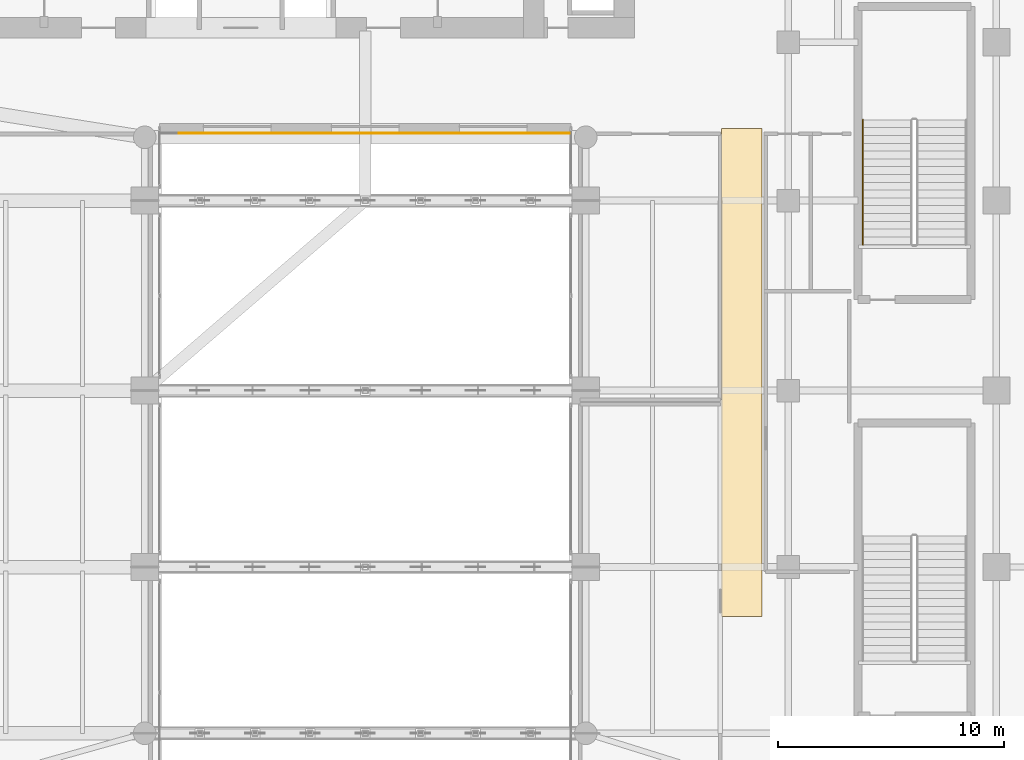
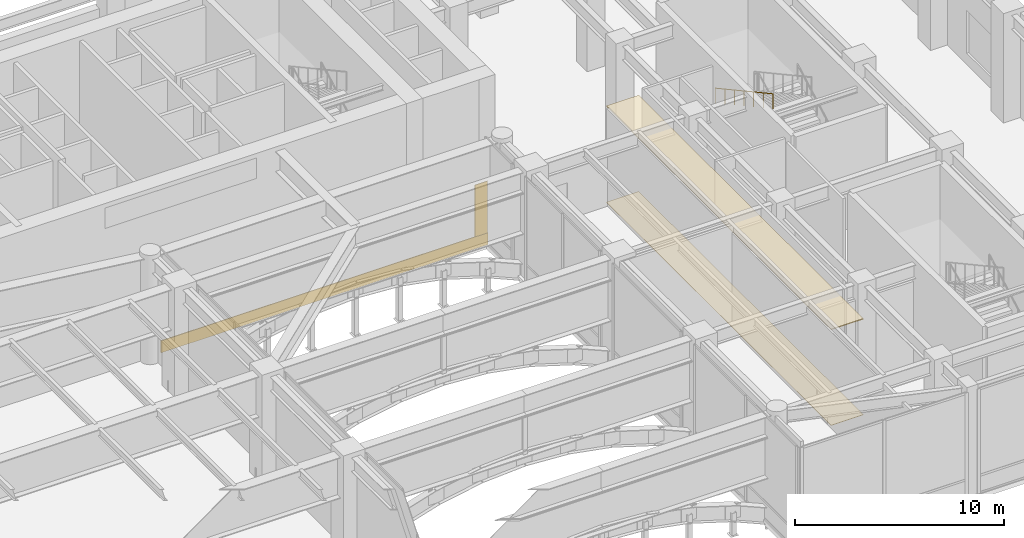
# One storey, part 45 of 50: 4 coverings, 1 railing.
"""IFC4 building model written with IfcOpenShell, lengths in metres."""

from ifc_helpers import new_model, si_unit, direction, frame, origin, origin_2d, place, context, subcontext, project, spatial, polyline, circle, outline, extrude, material, layer, layer_set, type_object, element, save


model = new_model("IFC4")

# Units and contexts
model_context = context("Model", 3, precision=1e-05, world=origin(), true_north=direction((0.0, 1.0)))
body_context = subcontext(model_context, "Body", "Model", "MODEL_VIEW")
ifc_project = project(units=[si_unit("LENGTHUNIT", "METRE"), si_unit("AREAUNIT", "SQUARE_METRE"), si_unit("VOLUMEUNIT", "CUBIC_METRE"), si_unit("PLANEANGLEUNIT", "RADIAN"), si_unit("MASSUNIT", "GRAM", prefix="KILO")], contexts=[model_context])

# Site, building, storey
site_placement = place(None, origin())
site = spatial("IfcSite", under=ifc_project, at=site_placement, CompositionType="ELEMENT")
building_placement = place(site_placement, origin())
building = spatial("IfcBuilding", under=site, at=building_placement, Name="Tolvann Quenvar Hotel", CompositionType="ELEMENT")
storey_placement = place(building_placement, frame((0.0, 0.0, 16.0)))
storey = spatial("IfcBuildingStorey", under=building, at=storey_placement, Name="L03", CompositionType="ELEMENT", Elevation=16.0)

# Coverings
ifc_material_1 = material(Name="Micro-perforated acoustic mineral-fibre and timber-batten suspended ceiling", Category="wood")
ifc_layer_1 = layer(ifc_material_1, 0.054931640625)
ifc_layer_set_1 = layer_set([ifc_layer_1], Name="Micro-perforated acoustic mineral-fibre and timber-batten suspended ceiling")
covering_type_1 = type_object("IfcCoveringType", Name="COV_CEIL_TIMBER_55", PredefinedType="CEILING", material=ifc_layer_set_1)
covering_1_placement = place(storey_placement, frame((0.0, 0.0, 5.60009765625)))
element("IfcCovering", 1, at=covering_1_placement, inside=storey, type_object=covering_type_1, Name="Suspended Acoustic Ceiling (East Podium Corridor L03)", PredefinedType="CEILING", context=body_context, shape_type="SweptSolid", body=[
    extrude(outline(polyline([(44.239990234375, 6.02001953125), (46.030029296875, 6.02001953125), (46.030029296875, 27.580078125), (44.239990234375, 27.580078125), (44.239990234375, 6.02001953125)])), origin(), (0.0, 0.0, 1.0), 0.054931640625),
])
ifc_material_2 = material(Name="Kiln-fired red architectural face brick cladding", Category="masonry")
ifc_layer_2 = layer(ifc_material_2, 0.0400390625)
ifc_layer_set_2 = layer_set([ifc_layer_2], Name="Kiln-fired red architectural face brick cladding")
covering_type_2 = type_object("IfcCoveringType", Name="COV_CLAD_BRICK_40", PredefinedType="CLADDING", material=ifc_layer_set_2)
covering_2_placement = place(storey_placement, frame((0.0, 0.0, 0.699951171875)))
element("IfcCovering", 2, at=covering_2_placement, inside=storey, type_object=covering_type_2, Name="Brick Pier Cladding (L03-E02-P2)", PredefinedType="CLADDING", context=body_context, shape_type="SweptSolid", body=[
    extrude(outline(polyline([(36.840087890625, 27.39990234375), (37.5400390625, 27.39990234375), (37.5400390625, 27.360107421875), (36.840087890625, 27.360107421875), (36.840087890625, 27.39990234375)])), origin(), (0.0, 0.0, 1.0), 3.030029296875),
])
ifc_material_3 = material(Name="Moulded buff architectural terracotta spandrel cladding", Category="masonry")
ifc_layer_3 = layer(ifc_material_3, 0.0400390625)
ifc_layer_set_3 = layer_set([ifc_layer_3], Name="Moulded buff architectural terracotta spandrel cladding")
covering_type_3 = type_object("IfcCoveringType", Name="COV_CLAD_TERRA_40", PredefinedType="CLADDING", material=ifc_layer_set_3)
covering_3_placement = place(storey_placement, origin())
element("IfcCovering", 3, at=covering_3_placement, inside=storey, type_object=covering_type_3, Name="Terracotta Spandrel Cladding (L03-E02)", PredefinedType="CLADDING", context=body_context, shape_type="SweptSolid", body=[
    extrude(outline(polyline([(19.449951171875, 27.39990234375), (37.550048828125, 27.39990234375), (37.550048828125, 27.360107421875), (19.449951171875, 27.360107421875), (19.449951171875, 27.39990234375)])), origin(), (0.0, 0.0, 1.0), 0.699951171875),
])
ifc_material_4 = material(Name="Honed Australian bluestone, terrazzo and engineered oak flooring", Category="masonry")
ifc_layer_4 = layer(ifc_material_4, 0.02001953125)
ifc_layer_set_4 = layer_set([ifc_layer_4], Name="Honed Australian bluestone, terrazzo and engineered oak flooring")
covering_type_4 = type_object("IfcCoveringType", Name="COV_FLOOR_STONE_20", PredefinedType="FLOORING", material=ifc_layer_set_4)
covering_4_placement = place(storey_placement, origin())
element("IfcCovering", 4, at=covering_4_placement, inside=storey, type_object=covering_type_4, Name="Architectural Floor Finish (East Podium Corridor L03)", PredefinedType="FLOORING", context=body_context, shape_type="SweptSolid", body=[
    extrude(outline(polyline([(44.239990234375, 6.02001953125), (46.030029296875, 6.02001953125), (46.030029296875, 27.580078125), (44.239990234375, 27.580078125), (44.239990234375, 6.02001953125)])), origin(), (0.0, 0.0, 1.0), 0.02001953125),
])

# Railing
ifc_material_5 = material(Name="Brushed 316 stainless steel balustrade and handrail", Category="steel")
railing_type = type_object("IfcRailingType", Name="HANDRAIL", PredefinedType="HANDRAIL", material=ifc_material_5)
railing_placement = place(storey_placement, frame((50.5, 27.969970703125, 3.38818359375)))
element("IfcRailing", 5, at=railing_placement, inside=storey, type_object=railing_type, Name="L03 ST-P4 stair handrail 2", PredefinedType="HANDRAIL", context=body_context, shape_type="SweptSolid", body=[
    extrude(circle(Radius=0.02392578125, at=origin_2d()), frame((0.0, 0.0, 0.8759765625), z_axis=(0.0, -0.877842151624, 0.47895005672), x_axis=(1.0, 0.0, 0.0)), (0.0, 0.0, 1.0), 6.2880859375),
    extrude(circle(Radius=0.02099609375, at=origin_2d()), origin(), (0.0, 0.0, 1.0), 0.851806640625),
    extrude(circle(Radius=0.02099609375, at=origin_2d()), frame((0.0, -0.919921875, 0.501953125)), (0.0, 0.0, 1.0), 0.851806640625),
    extrude(circle(Radius=0.02099609375, at=origin_2d()), frame((0.0, -1.840087890625, 1.00390625)), (0.0, 0.0, 1.0), 0.851806640625),
    extrude(circle(Radius=0.02099609375, at=origin_2d()), frame((0.0, -2.760009765625, 1.505859375)), (0.0, 0.0, 1.0), 0.851806640625),
    extrude(circle(Radius=0.02099609375, at=origin_2d()), frame((0.0, -3.679931640625, 2.0078125)), (0.0, 0.0, 1.0), 0.851806640625),
    extrude(circle(Radius=0.02099609375, at=origin_2d()), frame((0.0, -4.60009765625, 2.509765625)), (0.0, 0.0, 1.0), 0.851806640625),
    extrude(circle(Radius=0.02099609375, at=origin_2d()), frame((0.0, -5.52001953125, 3.01171875)), (0.0, 0.0, 1.0), 0.851806640625),
])

save(model, "model.ifc")
